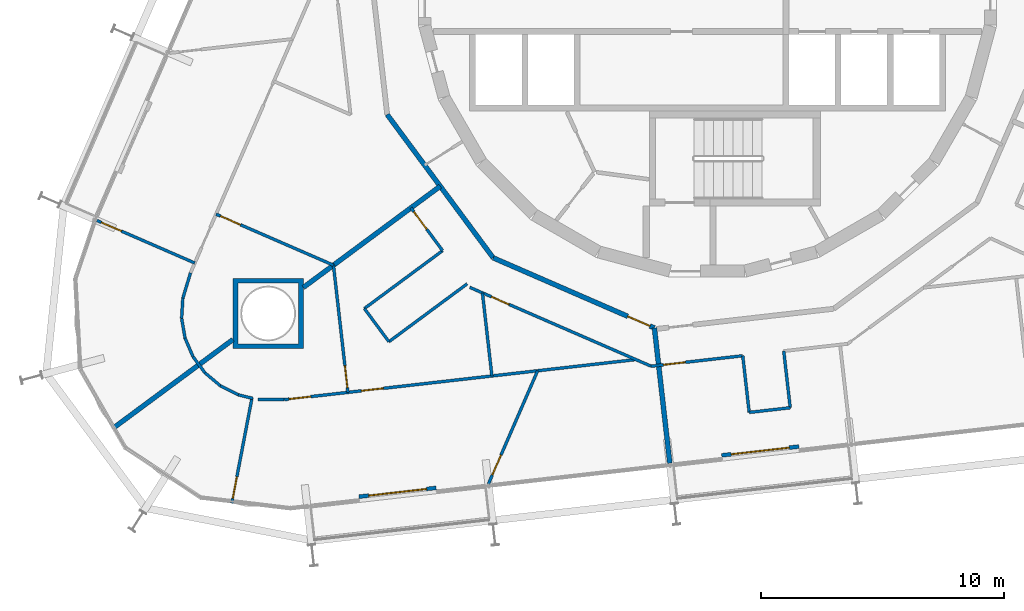
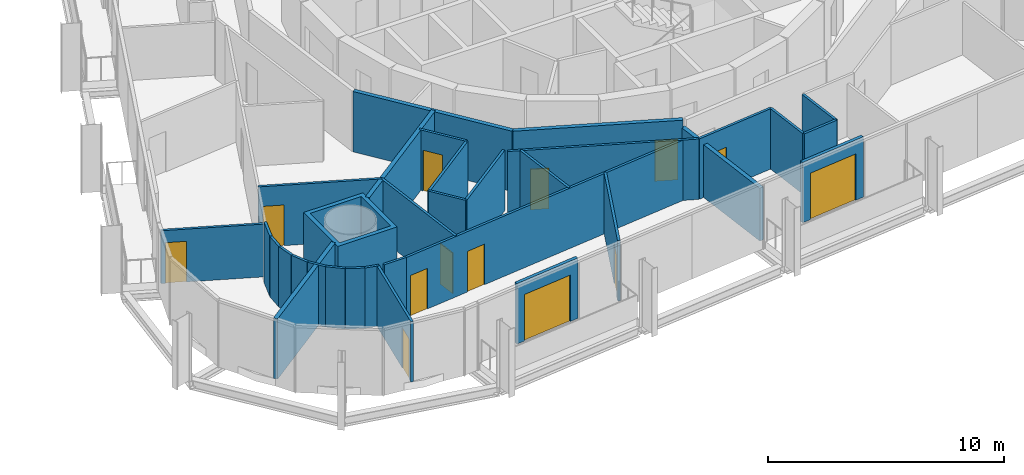
# One storey, part 16 of 24: 33 walls, 13 doors, 13 openings.
"""IFC4 building model written with IfcOpenShell, lengths in metres."""

import ifcopenshell
import ifcopenshell.guid

model = None  # the IFC model being written
_history = None  # IfcOwnerHistory: only IFC2X3 demands one
_inside = {}  # id of a spatial element -> (the spatial element, [elements in it])
_under = {}  # id of a project, library or spatial element -> (it, [spatial elements below it])
_declared = {}  # id of a project -> (the project, [libraries it declares])
_typed = {}  # id of a type object -> (the type object, [elements of that type])
_made_of = {}  # id of a material, layer set ... -> (it, [elements and type objects made of it])


def new_model(schema):
    """Start an empty IFC model of exactly this schema.

    Asked for "IFC4X3", IfcOpenShell would pick the latest addendum, in which some entities
    have other attributes; the version numbers below select the first issue.
    IFC2X3 requires an IfcOwnerHistory on every rooted entity: one is made here for all.
    """
    global model, _history
    if schema == "IFC4X3":
        model = ifcopenshell.file(schema_version=(4, 3, 0, 0))
    else:
        model = ifcopenshell.file(schema=schema)
    _inside.clear()
    _under.clear()
    _declared.clear()
    _typed.clear()
    _made_of.clear()
    _history = None
    if model.schema == "IFC2X3":
        org = make("IfcOrganization", Name="unknown")
        user = make(
            "IfcPersonAndOrganization",
            ThePerson=make("IfcPerson", FamilyName="unknown"),
            TheOrganization=org,
        )
        app = make(
            "IfcApplication",
            ApplicationDeveloper=org,
            Version="unknown",
            ApplicationFullName="unknown",
            ApplicationIdentifier="unknown",
        )
        _history = make(
            "IfcOwnerHistory",
            OwningUser=user,
            OwningApplication=app,
            ChangeAction="ADDED",
            CreationDate=0,
        )
    return model


def make(cls, **values):
    """One entity of the class cls with the attributes given. An attribute that is None is left unset."""
    return model.create_entity(
        cls, **{name: value for name, value in values.items() if value is not None}
    )


def rooted(cls, **values):
    """An entity with a GlobalId (a new one), such as an element, a storey or a relation."""
    return make(cls, GlobalId=ifcopenshell.guid.new(), OwnerHistory=_history, **values)


def si_unit(unit_type, name, prefix=None):
    """IfcSIUnit, for example si_unit("LENGTHUNIT", "METRE", prefix="MILLI")."""
    return make("IfcSIUnit", UnitType=unit_type, Prefix=prefix, Name=name)


def assignment(units):
    """IfcUnitAssignment: the units of a project."""
    return None if units is None else make("IfcUnitAssignment", Units=units)


def point(xyz):
    """IfcCartesianPoint."""
    return None if xyz is None else make("IfcCartesianPoint", Coordinates=xyz)


def direction(xyz):
    """IfcDirection."""
    return None if xyz is None else make("IfcDirection", DirectionRatios=xyz)


def frame(location, z_axis=None, x_axis=None):
    """IfcAxis2Placement3D, a coordinate frame: its origin and axes. An axis left out is left unset."""
    return make(
        "IfcAxis2Placement3D",
        Location=point(location),
        Axis=direction(z_axis),
        RefDirection=direction(x_axis),
    )


def frame_2d(location, x_axis=None):
    """IfcAxis2Placement2D, a coordinate frame in the plane: its origin and x axis."""
    return make(
        "IfcAxis2Placement2D", Location=point(location), RefDirection=direction(x_axis)
    )


def origin():
    """The frame at (0, 0, 0) with its axes left unset."""
    return frame((0.0, 0.0, 0.0))


def place(relative_to, where):
    """IfcLocalPlacement: puts the frame where relative to a parent placement (None: the world)."""
    return make(
        "IfcLocalPlacement", PlacementRelTo=relative_to, RelativePlacement=where
    )


def context(
    kind, dimensions, precision=None, world=None, true_north=None, identifier=None
):
    """IfcGeometricRepresentationContext, for example the 3D "Model" context."""
    return make(
        "IfcGeometricRepresentationContext",
        ContextIdentifier=identifier,
        ContextType=kind,
        CoordinateSpaceDimension=dimensions,
        Precision=precision,
        WorldCoordinateSystem=world,
        TrueNorth=true_north,
    )


def subcontext(parent, identifier, kind, view, scale=None):
    """IfcGeometricRepresentationSubContext, for example "Body" below "Model"."""
    return make(
        "IfcGeometricRepresentationSubContext",
        ContextIdentifier=identifier,
        ContextType=kind,
        ParentContext=parent,
        TargetScale=scale,
        TargetView=view,
    )


def project(units=None, contexts=None):
    """IfcProject with its units and contexts."""
    return rooted(
        "IfcProject",
        Name="project",
        RepresentationContexts=contexts,
        UnitsInContext=assignment(units),
    )


def spatial(cls, under=None, at=None, **own):
    """A site, building, storey or space (cls), placed at a placement, below another one or the project."""
    s = rooted(cls, ObjectPlacement=at, **own)
    if under is not None:
        _under.setdefault(under.id(), (under, []))[1].append(s)
    return s


def polyline(points):
    """IfcPolyline through the points."""
    return make("IfcPolyline", Points=[point(p) for p in points])


def profile(cls, at=None, kind="AREA", **sizes):
    """A parametric profile (cls). Its sizes go by their IFC names, for example OverallWidth=200.0."""
    return make(cls, ProfileType=kind, Position=at, **sizes)


def rectangle(**sizes):
    """IfcRectangleProfileDef."""
    return profile("IfcRectangleProfileDef", **sizes)


def outline(outer, holes=None, kind="AREA"):
    """IfcArbitraryClosedProfileDef: a profile drawn as a closed curve; with holes, ...WithVoids."""
    if holes is None:
        return make("IfcArbitraryClosedProfileDef", ProfileType=kind, OuterCurve=outer)
    return make(
        "IfcArbitraryProfileDefWithVoids",
        ProfileType=kind,
        OuterCurve=outer,
        InnerCurves=holes,
    )


def extrude(swept, where, along, depth):
    """IfcExtrudedAreaSolid: the profile swept, set in the frame where, extruded along a direction by depth."""
    return make(
        "IfcExtrudedAreaSolid",
        SweptArea=swept,
        Position=where,
        ExtrudedDirection=direction(along),
        Depth=depth,
    )


def shape(context_of_items, identifier, shape_type, items):
    """IfcShapeRepresentation: the items that make up one representation, for example the "Body"."""
    return make(
        "IfcShapeRepresentation",
        ContextOfItems=context_of_items,
        RepresentationIdentifier=identifier,
        RepresentationType=shape_type,
        Items=items,
    )


def material(Name=None, Category=None):
    """IfcMaterial."""
    return make("IfcMaterial", Name=Name, Category=Category)


def layer(
    of_material, thickness, ventilated=None, Name=None, Category=None, Priority=None
):
    """IfcMaterialLayer: one layer of a wall or slab, of a material (None: an air gap)."""
    return make(
        "IfcMaterialLayer",
        Material=of_material,
        LayerThickness=thickness,
        IsVentilated=ventilated,
        Name=Name,
        Category=Category,
        Priority=Priority,
    )


def layer_set(layers, Name=None):
    """IfcMaterialLayerSet."""
    return make("IfcMaterialLayerSet", MaterialLayers=layers, LayerSetName=Name)


def made_of(thing, what):
    """Note that an element or type object is made of a material, layer set ...; save() writes the relation."""
    if what is not None:
        _made_of.setdefault(what.id(), (what, []))[1].append(thing)
    return thing


def type_object(cls, material=None, **own):
    """A type object (cls), such as IfcWallType, which elements share."""
    return made_of(rooted(cls, **own), material)


def element(
    cls,
    number,
    at=None,
    inside=None,
    cuts=None,
    type_object=None,
    material=None,
    context=None,
    identifier="Body",
    shape_type=None,
    held_by="IfcProductDefinitionShape",
    body=None,
    shapes=None,
    **own,
):
    """One element of the class cls, such as IfcWall. Its Tag is "e" and its number.

    at: its placement. inside: the storey or other place that contains it. cuts: it is an
    opening in that element (IfcRelVoidsElement). A single representation is given by context,
    identifier, shape_type and body (its items); several are given by shapes. held_by: the class
    of the entity that holds the representations. save() writes the other relations.
    """
    e = rooted(cls, Tag="e%d" % number, ObjectPlacement=at, **own)
    if body is not None:
        shapes = [shape(context, identifier, shape_type, body)]
    if shapes is not None:
        e.Representation = make(held_by, Representations=shapes)
    if inside is not None:
        _inside.setdefault(inside.id(), (inside, []))[1].append(e)
    if cuts is not None:
        rooted(
            "IfcRelVoidsElement", RelatingBuildingElement=cuts, RelatedOpeningElement=e
        )
    if type_object is not None:
        _typed.setdefault(type_object.id(), (type_object, []))[1].append(e)
    return made_of(e, material)


def fill(opening, filler):
    """IfcRelFillsElement: the door or window that sits in an opening."""
    return rooted(
        "IfcRelFillsElement",
        RelatingOpeningElement=opening,
        RelatedBuildingElement=filler,
    )


def aggregate(whole, parts):
    """IfcRelAggregates: a whole, such as a stair, and the parts it consists of."""
    return rooted("IfcRelAggregates", RelatingObject=whole, RelatedObjects=parts)


def save(model, path):
    """Write the relations noted so far, then the file.

    IfcRelAggregates (storeys below a building ...), IfcRelContainedInSpatialStructure (elements
    in a storey), IfcRelDefinesByType, IfcRelAssociatesMaterial and IfcRelDeclares: one each for
    every whole, place, type object, material and project.
    """
    for whole, parts in _under.values():
        aggregate(whole, parts)
    for where, things in _inside.values():
        rooted(
            "IfcRelContainedInSpatialStructure",
            RelatedElements=things,
            RelatingStructure=where,
        )
    for kind, things in _typed.values():
        rooted("IfcRelDefinesByType", RelatedObjects=things, RelatingType=kind)
    for what, things in _made_of.values():
        rooted("IfcRelAssociatesMaterial", RelatedObjects=things, RelatingMaterial=what)
    for by, libraries in _declared.values():
        rooted("IfcRelDeclares", RelatingContext=by, RelatedDefinitions=libraries)
    model.write(path)


model = new_model("IFC4")

# Units and contexts
model_context = context("Model", 3, precision=1e-05, world=origin(), true_north=direction((0.0, 1.0)))
body_context = subcontext(model_context, "Body", "Model", "MODEL_VIEW")
ifc_project = project(units=[si_unit("LENGTHUNIT", "METRE"), si_unit("AREAUNIT", "SQUARE_METRE"), si_unit("VOLUMEUNIT", "CUBIC_METRE"), si_unit("PLANEANGLEUNIT", "RADIAN"), si_unit("MASSUNIT", "GRAM", prefix="KILO")], contexts=[model_context])

# Site, building, storey
site_placement = place(None, origin())
site = spatial("IfcSite", under=ifc_project, at=site_placement, CompositionType="ELEMENT")
building_placement = place(site_placement, origin())
building = spatial("IfcBuilding", under=site, at=building_placement, Name="Spindle Arch Residences", CompositionType="ELEMENT")
storey_placement = place(building_placement, frame((0.0, 0.0, 87.199951171875)))
storey = spatial("IfcBuildingStorey", under=building, at=storey_placement, Name="L20", CompositionType="ELEMENT", Elevation=87.199951171875)

# Wall
ifc_material_1 = material(Name="Calcium silicate block, plastered")
ifc_layer_1 = layer(ifc_material_1, 0.199951171875)
ifc_layer_set_1 = layer_set([ifc_layer_1], Name="Corridor wall 200")
wall_type_1 = type_object("IfcWallType", Name="Corridor wall 200", PredefinedType="STANDARD", material=ifc_layer_set_1)
wall_1_placement = place(storey_placement, frame((-13.1962890625, -5.1982421875, 0.0), z_axis=(0.0, 0.0, 1.0), x_axis=(0.594805187394, -0.803869883159, 0.0)))
element("IfcWall", 1, at=wall_1_placement, inside=storey, type_object=wall_type_1, Name="Corridor wall R2B1-W012", PredefinedType="STANDARD", context=body_context, shape_type="SweptSolid", body=[
    extrude(rectangle(XDim=7.341796875, YDim=0.199951171875, at=frame_2d((3.6708984375, 0.0))), origin(), (0.0, 0.0, 1.0), 3.1201171875),
])

# Wall, opening, door
wall_2_placement = place(storey_placement, frame((-8.829345703125, -11.10009765625, 0.0), z_axis=(0.0, 0.0, 1.0), x_axis=(0.917063622491, -0.398740908742, 0.0)))
wall_2 = element("IfcWall", 2, at=wall_2_placement, inside=storey, type_object=wall_type_1, Name="Corridor wall R2B1-W013", PredefinedType="STANDARD", context=body_context, shape_type="SweptSolid", body=[
    extrude(rectangle(XDim=7.239501953125, YDim=0.199951171875, at=frame_2d((3.61962890625, 0.0))), origin(), (0.0, 0.0, 1.0), 3.1201171875),
])
opening_1_placement = place(wall_2_placement, frame((6.03955078125, 0.0, 0.0)))
opening_1 = element("IfcOpeningElement", 3, at=opening_1_placement, cuts=wall_2, Name="Opening R2B1-FD04", PredefinedType="OPENING", context=body_context, shape_type="SweptSolid", body=[
    extrude(rectangle(XDim=1.0, YDim=2.10009765625, at=frame_2d((0.5, 1.050048828125))), frame((0.0, 0.10986328125, 0.0), z_axis=(0.0, -1.0, 0.0), x_axis=(1.0, 0.0, 0.0)), (0.0, 0.0, 1.0), 0.219970703125),
])
ifc_material_2 = material(Name="Timber, fire-resisting door set", Category="wood")
door_type_1 = type_object("IfcDoorType", Name="Flat entrance door 1000x2100", OperationType="NOTDEFINED", PredefinedType="DOOR", material=ifc_material_2)
door_1_placement = place(opening_1_placement, origin())
door_1 = element("IfcDoor", 4, at=door_1_placement, inside=storey, type_object=door_type_1, Name="Flat entrance door R2B1-FD04", OperationType="SINGLE_SWING_LEFT", OverallHeight=2.10009765625, OverallWidth=1.0, PredefinedType="DOOR", context=body_context, shape_type="SweptSolid", body=[
    extrude(rectangle(XDim=1.0, YDim=2.10009765625, at=frame_2d((0.5, 1.050048828125))), frame((0.0, 0.02490234375, 0.0), z_axis=(0.0, -1.0, 0.0), x_axis=(1.0, 0.0, 0.0)), (0.0, 0.0, 1.0), 0.050048828125),
])
fill(opening_1, door_1)

ifc_material_3 = material(Name="Plasterboard on steel studs", Category="steel")
ifc_layer_2 = layer(ifc_material_3, 0.1201171875)
ifc_layer_set_2 = layer_set([ifc_layer_2], Name="Flat partition 120")
wall_type_2 = type_object("IfcWallType", Name="Flat partition 120", PredefinedType="PARTITIONING", material=ifc_layer_set_2)
wall_3_placement = place(storey_placement, frame((-20.2451171875, -9.30029296875, 0.0), z_axis=(0.0, 0.0, 1.0), x_axis=(0.91706784774, -0.398731190956, 0.0)))
wall_3 = element("IfcWall", 5, at=wall_3_placement, inside=storey, type_object=wall_type_2, Name="Flat partition R2B1-W068", PredefinedType="PARTITIONING", context=body_context, shape_type="SweptSolid", body=[
    extrude(rectangle(XDim=5.2724609375, YDim=0.1201171875, at=frame_2d((2.63623046875, 0.0))), origin(), (0.0, 0.0, 1.0), 3.1201171875),
])
opening_2_placement = place(wall_3_placement, frame((0.199951171875, 0.0, 0.0)))
opening_2 = element("IfcOpeningElement", 6, at=opening_2_placement, cuts=wall_3, Name="Opening R2B1-ID15", PredefinedType="OPENING", context=body_context, shape_type="SweptSolid", body=[
    extrude(rectangle(XDim=0.89990234375, YDim=2.10009765625, at=frame_2d((0.449951171875, 1.050048828125))), frame((0.0, 0.070068359375, 0.0), z_axis=(0.0, -1.0, 0.0), x_axis=(1.0, 0.0, 0.0)), (0.0, 0.0, 1.0), 0.14013671875),
])
ifc_material_4 = material(Name="Timber door set", Category="wood")
door_type_2 = type_object("IfcDoorType", Name="Room door 900x2100", OperationType="NOTDEFINED", PredefinedType="DOOR", material=ifc_material_4)
door_2_placement = place(opening_2_placement, origin())
door_2 = element("IfcDoor", 7, at=door_2_placement, inside=storey, type_object=door_type_2, Name="Room door R2B1-ID15", OperationType="SINGLE_SWING_RIGHT", OverallHeight=2.10009765625, OverallWidth=0.89990234375, PredefinedType="DOOR", context=body_context, shape_type="SweptSolid", body=[
    extrude(rectangle(XDim=0.89990234375, YDim=2.10009765625, at=frame_2d((0.449951171875, 1.050048828125))), frame((0.0, 0.02490234375, 0.0), z_axis=(0.0, -1.0, 0.0), x_axis=(1.0, 0.0, 0.0)), (0.0, 0.0, 1.0), 0.050048828125),
])
fill(opening_2, door_2)

# Walls
for number, where, z_axis, x_axis, name in (
    (8, (-20.702880859375, -15.834716796875, 0.0), (0.0, 0.0, 1.0), (-0.594755442796, 0.803906688158, 0.0), "Flat partition R2B1-W073"),
    (9, (-21.19580078125, -15.16845703125, 0.0), (0.0, 0.0, 1.0), (-0.393528213057, 0.919312539634, 0.0), "Flat partition R2B1-W074"),
):
    element("IfcWall", number, at=place(storey_placement, frame(where, z_axis=z_axis, x_axis=x_axis)), inside=storey, type_object=wall_type_2, Name=name, PredefinedType="PARTITIONING", context=body_context, shape_type="SweptSolid", body=[
        extrude(rectangle(XDim=0.828857421875, YDim=0.1201171875, at=frame_2d((0.41455078125, 0.0))), origin(), (0.0, 0.0, 1.0), 3.1201171875),
    ])
wall_4_placement = place(storey_placement, frame((-21.52197265625, -14.406494140625, 0.0), z_axis=(0.0, 0.0, 1.0), x_axis=(-0.170794347099, 0.985306698952, 0.0)))
element("IfcWall", 10, at=wall_4_placement, inside=storey, type_object=wall_type_2, Name="Flat partition R2B1-W075", PredefinedType="PARTITIONING", context=body_context, shape_type="SweptSolid", body=[
    extrude(rectangle(XDim=0.8291015625, YDim=0.1201171875, at=frame_2d((0.41455078125, 0.0))), origin(), (0.0, 0.0, 1.0), 3.1201171875),
])
wall_5_placement = place(storey_placement, frame((-21.66357421875, -13.589599609375, 0.0), z_axis=(0.0, 0.0, 1.0), x_axis=(0.061277779288, 0.998120751095, 0.0)))
element("IfcWall", 11, at=wall_5_placement, inside=storey, type_object=wall_type_2, Name="Flat partition R2B1-W076", PredefinedType="PARTITIONING", context=body_context, shape_type="SweptSolid", body=[
    extrude(rectangle(XDim=0.82861328125, YDim=0.1201171875, at=frame_2d((0.414306640625, 0.0))), origin(), (0.0, 0.0, 1.0), 3.1201171875),
])
wall_6_placement = place(storey_placement, frame((-21.61279296875, -12.762451171875, 0.0), z_axis=(0.0, 0.0, 1.0), x_axis=(0.289552239308, 0.95716221233, 0.0)))
element("IfcWall", 12, at=wall_6_placement, inside=storey, type_object=wall_type_2, Name="Flat partition R2B1-W077", PredefinedType="PARTITIONING", context=body_context, shape_type="SweptSolid", body=[
    extrude(rectangle(XDim=1.0869140625, YDim=0.1201171875, at=frame_2d((0.54345703125, 0.0))), origin(), (0.0, 0.0, 1.0), 3.1201171875),
])

# Wall, opening, door
wall_7_placement = place(storey_placement, frame((-12.218505859375, -9.041259765625, 0.0), z_axis=(0.0, 0.0, 1.0), x_axis=(0.59482286703, -0.803856801214, 0.0)))
wall_7 = element("IfcWall", 13, at=wall_7_placement, inside=storey, type_object=wall_type_2, Name="Flat partition R2B1-W078", PredefinedType="PARTITIONING", context=body_context, shape_type="SweptSolid", body=[
    extrude(rectangle(XDim=2.193359375, YDim=0.1201171875, at=frame_2d((1.0966796875, 0.0))), origin(), (0.0, 0.0, 1.0), 3.1201171875),
])
opening_3_placement = place(wall_7_placement, frame((0.199951171875, 0.0, 0.0)))
opening_3 = element("IfcOpeningElement", 14, at=opening_3_placement, cuts=wall_7, Name="Opening R2B1-ID19", PredefinedType="OPENING", context=body_context, shape_type="SweptSolid", body=[
    extrude(rectangle(XDim=0.89990234375, YDim=2.10009765625, at=frame_2d((0.449951171875, 1.050048828125))), frame((0.0, 0.070068359375, 0.0), z_axis=(0.0, -1.0, 0.0), x_axis=(1.0, 0.0, 0.0)), (0.0, 0.0, 1.0), 0.14013671875),
])
door_3_placement = place(opening_3_placement, origin())
door_3 = element("IfcDoor", 15, at=door_3_placement, inside=storey, type_object=door_type_2, Name="Room door R2B1-ID19", OperationType="SINGLE_SWING_LEFT", OverallHeight=2.10009765625, OverallWidth=0.89990234375, PredefinedType="DOOR", context=body_context, shape_type="SweptSolid", body=[
    extrude(rectangle(XDim=0.89990234375, YDim=2.10009765625, at=frame_2d((0.449951171875, 1.050048828125))), frame((0.0, 0.02490234375, 0.0), z_axis=(0.0, -1.0, 0.0), x_axis=(1.0, 0.0, 0.0)), (0.0, 0.0, 1.0), 0.050048828125),
])
fill(opening_3, door_3)

# Walls
wall_8_placement = place(storey_placement, frame((-10.913818359375, -10.804443359375, 0.0), z_axis=(0.0, 0.0, 1.0), x_axis=(-0.803864616889, -0.594812304609, 0.0)))
element("IfcWall", 16, at=wall_8_placement, inside=storey, type_object=wall_type_2, Name="Flat partition R2B1-W079", PredefinedType="PARTITIONING", context=body_context, shape_type="SweptSolid", body=[
    extrude(rectangle(XDim=4.008056640625, YDim=0.1201171875, at=frame_2d((2.00390625, 0.0))), origin(), (0.0, 0.0, 1.0), 3.1201171875),
])
wall_9_placement = place(storey_placement, frame((-14.1357421875, -13.1884765625, 0.0), z_axis=(0.0, 0.0, 1.0), x_axis=(0.594863421241, -0.803826791087, 0.0)))
element("IfcWall", 17, at=wall_9_placement, inside=storey, type_object=wall_type_2, Name="Flat partition R2B1-W080", PredefinedType="PARTITIONING", context=body_context, shape_type="SweptSolid", body=[
    extrude(rectangle(XDim=1.699951171875, YDim=0.1201171875, at=frame_2d((0.85009765625, 0.0))), origin(), (0.0, 0.0, 1.0), 3.1201171875),
])
wall_10_placement = place(storey_placement, frame((-13.12451171875, -14.554931640625, 0.0), z_axis=(0.0, 0.0, 1.0), x_axis=(0.80389374229, 0.594772940799, 0.0)))
element("IfcWall", 18, at=wall_10_placement, inside=storey, type_object=wall_type_2, Name="Flat partition R2B1-W081", PredefinedType="PARTITIONING", context=body_context, shape_type="SweptSolid", body=[
    extrude(rectangle(XDim=4.0078125, YDim=0.1201171875, at=frame_2d((2.00390625, 0.0))), origin(), (0.0, 0.0, 1.0), 3.1201171875),
])

# Wall, opening, door
wall_11_placement = place(storey_placement, frame((-9.7958984375, -12.315185546875, 0.0), z_axis=(0.0, 0.0, 1.0), x_axis=(0.917059572812, -0.398750222463, 0.0)))
wall_11 = element("IfcWall", 19, at=wall_11_placement, inside=storey, type_object=wall_type_2, Name="Flat partition R2B1-W082", PredefinedType="PARTITIONING", context=body_context, shape_type="SweptSolid", body=[
    extrude(rectangle(XDim=8.1455078125, YDim=0.1201171875, at=frame_2d((4.07275390625, 0.0))), origin(), (0.0, 0.0, 1.0), 3.1201171875),
])
opening_4_placement = place(wall_11_placement, frame((0.969482421875, 0.0, 0.0)))
opening_4 = element("IfcOpeningElement", 20, at=opening_4_placement, cuts=wall_11, Name="Opening R2B1-BD04", PredefinedType="OPENING", context=body_context, shape_type="SweptSolid", body=[
    extrude(rectangle(XDim=0.800048828125, YDim=2.10009765625, at=frame_2d((0.39990234375, 1.050048828125))), frame((0.0, 0.070068359375, 0.0), z_axis=(0.0, -1.0, 0.0), x_axis=(1.0, 0.0, 0.0)), (0.0, 0.0, 1.0), 0.14013671875),
])
ifc_material_5 = material(Name="Timber door set", Category="wood")
door_type_3 = type_object("IfcDoorType", Name="Bathroom door 800x2100", OperationType="NOTDEFINED", PredefinedType="DOOR", material=ifc_material_5)
door_4_placement = place(opening_4_placement, origin())
door_4 = element("IfcDoor", 21, at=door_4_placement, inside=storey, type_object=door_type_3, Name="Bathroom door R2B1-BD04", OperationType="SINGLE_SWING_LEFT", OverallHeight=2.10009765625, OverallWidth=0.800048828125, PredefinedType="DOOR", context=body_context, shape_type="SweptSolid", body=[
    extrude(rectangle(XDim=0.800048828125, YDim=2.10009765625, at=frame_2d((0.39990234375, 1.050048828125))), frame((0.0, 0.02490234375, 0.0), z_axis=(0.0, -1.0, 0.0), x_axis=(1.0, 0.0, 0.0)), (0.0, 0.0, 1.0), 0.050048828125),
])
fill(opening_4, door_4)

wall_12_placement = place(storey_placement, frame((-2.325927734375, -15.563232421875, 0.0), z_axis=(0.0, 0.0, 1.0), x_axis=(0.993575068384, 0.113175012641, 0.0)))
wall_12 = element("IfcWall", 22, at=wall_12_placement, inside=storey, type_object=wall_type_2, Name="Flat partition R2B1-W083", PredefinedType="PARTITIONING", context=body_context, shape_type="SweptSolid", body=[
    extrude(rectangle(XDim=3.798828125, YDim=0.1201171875, at=frame_2d((1.8994140625, 0.0))), origin(), (0.0, 0.0, 1.0), 3.1201171875),
])
opening_5_placement = place(wall_12_placement, frame((0.513427734375, 0.0, 0.0)))
opening_5 = element("IfcOpeningElement", 23, at=opening_5_placement, cuts=wall_12, Name="Opening R2B1-ID25", PredefinedType="OPENING", context=body_context, shape_type="SweptSolid", body=[
    extrude(rectangle(XDim=0.89990234375, YDim=2.10009765625, at=frame_2d((0.449951171875, 1.050048828125))), frame((0.0, 0.070068359375, 0.0), z_axis=(0.0, -1.0, 0.0), x_axis=(1.0, 0.0, 0.0)), (0.0, 0.0, 1.0), 0.14013671875),
])
door_5_placement = place(opening_5_placement, origin())
door_5 = element("IfcDoor", 24, at=door_5_placement, inside=storey, type_object=door_type_2, Name="Room door R2B1-ID25", OperationType="SINGLE_SWING_LEFT", OverallHeight=2.10009765625, OverallWidth=0.89990234375, PredefinedType="DOOR", context=body_context, shape_type="SweptSolid", body=[
    extrude(rectangle(XDim=0.89990234375, YDim=2.10009765625, at=frame_2d((0.449951171875, 1.050048828125))), frame((0.0, 0.02490234375, 0.0), z_axis=(0.0, -1.0, 0.0), x_axis=(1.0, 0.0, 0.0)), (0.0, 0.0, 1.0), 0.050048828125),
])
fill(opening_5, door_5)

# Walls
wall_13_placement = place(storey_placement, frame((-18.727783203125, -16.88818359375, 0.0), z_axis=(0.0, 0.0, 1.0), x_axis=(-0.972351484507, 0.233522141512, 0.0)))
element("IfcWall", 25, at=wall_13_placement, inside=storey, type_object=wall_type_2, Name="Flat partition R2B1-W084", PredefinedType="PARTITIONING", context=body_context, shape_type="SweptSolid", body=[
    extrude(rectangle(XDim=0.618896484375, YDim=0.1201171875, at=frame_2d((0.3095703125, 0.0))), origin(), (0.0, 0.0, 1.0), 3.1201171875),
])
for number, where, z_axis, x_axis, name in (
    (26, (-19.32958984375, -16.74365234375, 0.0), (0.0, 0.0, 1.0), (-0.89229682893, 0.451449187706, 0.0), "Flat partition R2B1-W085"),
    (27, (-20.0693359375, -16.369384765625, 0.0), (0.0, 0.0, 1.0), (-0.764223440539, 0.644951574097, 0.0), "Flat partition R2B1-W086"),
):
    element("IfcWall", number, at=place(storey_placement, frame(where, z_axis=z_axis, x_axis=x_axis)), inside=storey, type_object=wall_type_2, Name=name, PredefinedType="PARTITIONING", context=body_context, shape_type="SweptSolid", body=[
        extrude(rectangle(XDim=0.8291015625, YDim=0.1201171875, at=frame_2d((0.41455078125, 0.0))), origin(), (0.0, 0.0, 1.0), 3.1201171875),
    ])

# Wall, opening, door
wall_14_placement = place(storey_placement, frame((-19.595703125, -21.204833984375, 0.0), z_axis=(0.0, 0.0, 1.0), x_axis=(0.188168961647, 0.982136671687, 0.0)))
wall_14 = element("IfcWall", 28, at=wall_14_placement, inside=storey, type_object=wall_type_2, Name="Flat partition R2B1-W087", PredefinedType="PARTITIONING", context=body_context, shape_type="SweptSolid", body=[
    extrude(rectangle(XDim=4.40478515625, YDim=0.1201171875, at=frame_2d((2.202392578125, 0.0))), origin(), (0.0, 0.0, 1.0), 3.1201171875),
])
opening_6_placement = place(wall_14_placement, frame((0.199951171875, 0.0, 0.0)))
opening_6 = element("IfcOpeningElement", 29, at=opening_6_placement, cuts=wall_14, Name="Opening R2B1-ID22", PredefinedType="OPENING", context=body_context, shape_type="SweptSolid", body=[
    extrude(rectangle(XDim=0.89990234375, YDim=2.10009765625, at=frame_2d((0.449951171875, 1.050048828125))), frame((0.0, 0.070068359375, 0.0), z_axis=(0.0, -1.0, 0.0), x_axis=(1.0, 0.0, 0.0)), (0.0, 0.0, 1.0), 0.14013671875),
])
door_6_placement = place(opening_6_placement, origin())
door_6 = element("IfcDoor", 30, at=door_6_placement, inside=storey, type_object=door_type_2, Name="Room door R2B1-ID22", OperationType="SINGLE_SWING_LEFT", OverallHeight=2.10009765625, OverallWidth=0.89990234375, PredefinedType="DOOR", context=body_context, shape_type="SweptSolid", body=[
    extrude(rectangle(XDim=0.89990234375, YDim=2.10009765625, at=frame_2d((0.449951171875, 1.050048828125))), frame((0.0, 0.02490234375, 0.0), z_axis=(0.0, -1.0, 0.0), x_axis=(1.0, 0.0, 0.0)), (0.0, 0.0, 1.0), 0.050048828125),
])
fill(opening_6, door_6)

wall_15_placement = place(storey_placement, frame((-14.81298828125, -16.641357421875, 0.0), z_axis=(0.0, 0.0, 1.0), x_axis=(-0.113210971478, 0.993570971767, 0.0)))
wall_15 = element("IfcWall", 31, at=wall_15_placement, inside=storey, type_object=wall_type_2, Name="Flat partition R2B1-W088", PredefinedType="PARTITIONING", context=body_context, shape_type="SweptSolid", body=[
    extrude(rectangle(XDim=5.272705078125, YDim=0.1201171875, at=frame_2d((2.63623046875, 0.0))), origin(), (0.0, 0.0, 1.0), 3.1201171875),
])
opening_7_placement = place(wall_15_placement, frame((0.199951171875, 0.0, 0.0)))
opening_7 = element("IfcOpeningElement", 32, at=opening_7_placement, cuts=wall_15, Name="Opening R2B1-ID20", PredefinedType="OPENING", context=body_context, shape_type="SweptSolid", body=[
    extrude(rectangle(XDim=0.89990234375, YDim=2.10009765625, at=frame_2d((0.449951171875, 1.050048828125))), frame((0.0, 0.070068359375, 0.0), z_axis=(0.0, -1.0, 0.0), x_axis=(1.0, 0.0, 0.0)), (0.0, 0.0, 1.0), 0.14013671875),
])
door_7_placement = place(opening_7_placement, origin())
door_7 = element("IfcDoor", 33, at=door_7_placement, inside=storey, type_object=door_type_2, Name="Room door R2B1-ID20", OperationType="SINGLE_SWING_LEFT", OverallHeight=2.10009765625, OverallWidth=0.89990234375, PredefinedType="DOOR", context=body_context, shape_type="SweptSolid", body=[
    extrude(rectangle(XDim=0.89990234375, YDim=2.10009765625, at=frame_2d((0.449951171875, 1.050048828125))), frame((0.0, 0.02490234375, 0.0), z_axis=(0.0, -1.0, 0.0), x_axis=(1.0, 0.0, 0.0)), (0.0, 0.0, 1.0), 0.050048828125),
])
fill(opening_7, door_7)

# Wall
wall_16_placement = place(storey_placement, frame((-18.523681640625, -16.93701171875, 0.0), z_axis=(0.0, 0.0, 1.0), x_axis=(0.999995736722, -0.00292002349, 0.0)))
element("IfcWall", 34, at=wall_16_placement, inside=storey, type_object=wall_type_2, Name="Flat partition R2B1-W089", PredefinedType="PARTITIONING", context=body_context, shape_type="SweptSolid", body=[
    extrude(rectangle(XDim=1.0869140625, YDim=0.1201171875, at=frame_2d((0.54345703125, 0.0))), origin(), (0.0, 0.0, 1.0), 3.1201171875),
])

# Wall, openings, doors
wall_17_placement = place(storey_placement, frame((-17.436767578125, -16.940185546875, 0.0), z_axis=(0.0, 0.0, 1.0), x_axis=(0.993573314119, 0.113190412448, 0.0)))
wall_17 = element("IfcWall", 35, at=wall_17_placement, inside=storey, type_object=wall_type_2, Name="Flat partition R2B1-W090", PredefinedType="PARTITIONING", context=body_context, shape_type="SweptSolid", body=[
    extrude(rectangle(XDim=14.576416015625, YDim=0.1201171875, at=frame_2d((7.2880859375, 0.0))), origin(), (0.0, 0.0, 1.0), 3.1201171875),
])
opening_8_placement = place(wall_17_placement, frame((3.20068359375, 0.0, 0.0)))
opening_8 = element("IfcOpeningElement", 36, at=opening_8_placement, cuts=wall_17, Name="Opening R2B1-ID21", PredefinedType="OPENING", context=body_context, shape_type="SweptSolid", body=[
    extrude(rectangle(XDim=0.89990234375, YDim=2.10009765625, at=frame_2d((0.449951171875, 1.050048828125))), frame((0.0, 0.070068359375, 0.0), z_axis=(0.0, -1.0, 0.0), x_axis=(1.0, 0.0, 0.0)), (0.0, 0.0, 1.0), 0.14013671875),
])
opening_9_placement = place(wall_17_placement, frame((0.199951171875, 0.0, 0.0)))
opening_9 = element("IfcOpeningElement", 37, at=opening_9_placement, cuts=wall_17, Name="Opening R2B1-ID24", PredefinedType="OPENING", context=body_context, shape_type="SweptSolid", body=[
    extrude(rectangle(XDim=0.89990234375, YDim=2.10009765625, at=frame_2d((0.449951171875, 1.050048828125))), frame((0.0, 0.070068359375, 0.0), z_axis=(0.0, -1.0, 0.0), x_axis=(1.0, 0.0, 0.0)), (0.0, 0.0, 1.0), 0.14013671875),
])
door_8_placement = place(opening_8_placement, origin())
door_8 = element("IfcDoor", 38, at=door_8_placement, inside=storey, type_object=door_type_2, Name="Room door R2B1-ID21", OperationType="SINGLE_SWING_LEFT", OverallHeight=2.10009765625, OverallWidth=0.89990234375, PredefinedType="DOOR", context=body_context, shape_type="SweptSolid", body=[
    extrude(rectangle(XDim=0.89990234375, YDim=2.10009765625, at=frame_2d((0.449951171875, 1.050048828125))), frame((0.0, 0.02490234375, 0.0), z_axis=(0.0, -1.0, 0.0), x_axis=(1.0, 0.0, 0.0)), (0.0, 0.0, 1.0), 0.050048828125),
])
fill(opening_8, door_8)
door_9_placement = place(opening_9_placement, origin())
door_9 = element("IfcDoor", 39, at=door_9_placement, inside=storey, type_object=door_type_2, Name="Room door R2B1-ID24", OperationType="SINGLE_SWING_LEFT", OverallHeight=2.10009765625, OverallWidth=0.89990234375, PredefinedType="DOOR", context=body_context, shape_type="SweptSolid", body=[
    extrude(rectangle(XDim=0.89990234375, YDim=2.10009765625, at=frame_2d((0.449951171875, 1.050048828125))), frame((0.0, 0.02490234375, 0.0), z_axis=(0.0, -1.0, 0.0), x_axis=(1.0, 0.0, 0.0)), (0.0, 0.0, 1.0), 0.050048828125),
])
fill(opening_9, door_9)

# Wall
wall_18_placement = place(storey_placement, frame((-8.883544921875, -15.9658203125, 0.0), z_axis=(0.0, 0.0, 1.0), x_axis=(-0.113230836929, 0.993568708026, 0.0)))
element("IfcWall", 40, at=wall_18_placement, inside=storey, type_object=wall_type_2, Name="Flat partition R2B1-W091", PredefinedType="PARTITIONING", context=body_context, shape_type="SweptSolid", body=[
    extrude(rectangle(XDim=3.445556640625, YDim=0.1201171875, at=frame_2d((1.72265625, 0.0))), origin(), (0.0, 0.0, 1.0), 3.1201171875),
])

# Wall, opening, door
wall_19_placement = place(storey_placement, frame((-9.025634765625, -20.410400390625, 0.0), z_axis=(0.0, 0.0, 1.0), x_axis=(0.398750711167, 0.917059360316, 0.0)))
wall_19 = element("IfcWall", 41, at=wall_19_placement, inside=storey, type_object=wall_type_2, Name="Flat partition R2B1-W092", PredefinedType="PARTITIONING", context=body_context, shape_type="SweptSolid", body=[
    extrude(rectangle(XDim=5.08056640625, YDim=0.1201171875, at=frame_2d((2.540283203125, 0.0))), origin(), (0.0, 0.0, 1.0), 3.1201171875),
])
opening_10_placement = place(wall_19_placement, frame((0.39990234375, 0.0, 0.0)))
opening_10 = element("IfcOpeningElement", 42, at=opening_10_placement, cuts=wall_19, Name="Opening R2B1-ID23", PredefinedType="OPENING", context=body_context, shape_type="SweptSolid", body=[
    extrude(rectangle(XDim=0.89990234375, YDim=2.10009765625, at=frame_2d((0.449951171875, 1.050048828125))), frame((0.0, 0.070068359375, 0.0), z_axis=(0.0, -1.0, 0.0), x_axis=(1.0, 0.0, 0.0)), (0.0, 0.0, 1.0), 0.14013671875),
])
door_10_placement = place(opening_10_placement, origin())
door_10 = element("IfcDoor", 43, at=door_10_placement, inside=storey, type_object=door_type_2, Name="Room door R2B1-ID23", OperationType="SINGLE_SWING_RIGHT", OverallHeight=2.10009765625, OverallWidth=0.89990234375, PredefinedType="DOOR", context=body_context, shape_type="SweptSolid", body=[
    extrude(rectangle(XDim=0.89990234375, YDim=2.10009765625, at=frame_2d((0.449951171875, 1.050048828125))), frame((0.0, 0.02490234375, 0.0), z_axis=(0.0, -1.0, 0.0), x_axis=(1.0, 0.0, 0.0)), (0.0, 0.0, 1.0), 0.050048828125),
])
fill(opening_10, door_10)

# Walls
wall_20_placement = place(storey_placement, frame((1.448486328125, -15.13330078125, 0.0), z_axis=(0.0, 0.0, 1.0), x_axis=(0.113180189053, -0.993574478741, 0.0)))
element("IfcWall", 44, at=wall_20_placement, inside=storey, type_object=wall_type_2, Name="Flat partition R2B1-W093", PredefinedType="PARTITIONING", context=body_context, shape_type="SweptSolid", body=[
    extrude(rectangle(XDim=2.34912109375, YDim=0.1201171875, at=frame_2d((1.174560546875, 0.0))), origin(), (0.0, 0.0, 1.0), 3.1201171875),
])
wall_21_placement = place(storey_placement, frame((1.71435546875, -17.46728515625, 0.0), z_axis=(0.0, 0.0, 1.0), x_axis=(0.993577030812, 0.113157782957, 0.0)))
element("IfcWall", 45, at=wall_21_placement, inside=storey, type_object=wall_type_2, Name="Flat partition R2B1-W094", PredefinedType="PARTITIONING", context=body_context, shape_type="SweptSolid", body=[
    extrude(rectangle(XDim=1.7001953125, YDim=0.1201171875, at=frame_2d((0.85009765625, 0.0))), origin(), (0.0, 0.0, 1.0), 3.1201171875),
])
wall_22_placement = place(storey_placement, frame((3.403564453125, -17.27490234375, 0.0), z_axis=(0.0, 0.0, 1.0), x_axis=(-0.113180189053, 0.993574478741, 0.0)))
element("IfcWall", 46, at=wall_22_placement, inside=storey, type_object=wall_type_2, Name="Flat partition R2B1-W095", PredefinedType="PARTITIONING", context=body_context, shape_type="SweptSolid", body=[
    extrude(rectangle(XDim=2.34912109375, YDim=0.1201171875, at=frame_2d((1.174560546875, 0.0))), origin(), (0.0, 0.0, 1.0), 3.1201171875),
])

# Wall, opening, door
ifc_material_6 = material(Name="Plasterboard on steel studs", Category="steel")
ifc_layer_3 = layer(ifc_material_6, 0.1201171875)
ifc_layer_set_3 = layer_set([ifc_layer_3], Name="Flat partition 120 under beam 2730")
wall_type_3 = type_object("IfcWallType", Name="Flat partition 120 under beam 2730", PredefinedType="PARTITIONING", material=ifc_layer_set_3)
wall_23_placement = place(storey_placement, frame((-25.155517578125, -9.55908203125, 0.0), z_axis=(0.0, 0.0, 1.0), x_axis=(0.917042707292, -0.398789008127, 0.0)))
wall_23 = element("IfcWall", 47, at=wall_23_placement, inside=storey, type_object=wall_type_3, Name="Flat partition R2B1-W072", PredefinedType="PARTITIONING", context=body_context, shape_type="SweptSolid", body=[
    extrude(rectangle(XDim=4.39990234375, YDim=0.1201171875, at=frame_2d((2.199951171875, 0.0))), origin(), (0.0, 0.0, 1.0), 2.72998046875),
])
opening_11_placement = place(wall_23_placement, frame((0.199951171875, 0.0, 0.0)))
opening_11 = element("IfcOpeningElement", 48, at=opening_11_placement, cuts=wall_23, Name="Opening R2B1-ID17", PredefinedType="OPENING", context=body_context, shape_type="SweptSolid", body=[
    extrude(rectangle(XDim=0.89990234375, YDim=2.10009765625, at=frame_2d((0.449951171875, 1.050048828125))), frame((0.0, 0.070068359375, 0.0), z_axis=(0.0, -1.0, 0.0), x_axis=(1.0, 0.0, 0.0)), (0.0, 0.0, 1.0), 0.14013671875),
])
door_11_placement = place(opening_11_placement, origin())
door_11 = element("IfcDoor", 49, at=door_11_placement, inside=storey, type_object=door_type_2, Name="Room door R2B1-ID17", OperationType="SINGLE_SWING_RIGHT", OverallHeight=2.10009765625, OverallWidth=0.89990234375, PredefinedType="DOOR", context=body_context, shape_type="SweptSolid", body=[
    extrude(rectangle(XDim=0.89990234375, YDim=2.10009765625, at=frame_2d((0.449951171875, 1.050048828125))), frame((0.0, 0.02490234375, 0.0), z_axis=(0.0, -1.0, 0.0), x_axis=(1.0, 0.0, 0.0)), (0.0, 0.0, 1.0), 0.050048828125),
])
fill(opening_11, door_11)

# Walls
ifc_material_7 = material(Name="Calcium silicate block, plastered")
ifc_layer_4 = layer(ifc_material_7, 0.199951171875)
ifc_layer_set_4 = layer_set([ifc_layer_4], Name="Flat party wall 200")
wall_type_4 = type_object("IfcWallType", Name="Flat party wall 200", PredefinedType="STANDARD", material=ifc_layer_set_4)
wall_24_placement = place(storey_placement, frame((-16.64892578125, -12.319580078125, 0.0), z_axis=(0.0, 0.0, 1.0), x_axis=(0.803869204071, 0.594806105169, 0.0)))
element("IfcWall", 50, at=wall_24_placement, inside=storey, type_object=wall_type_4, Name="Flat party wall R2B1-W021", PredefinedType="STANDARD", context=body_context, shape_type="SweptSolid", body=[
    extrude(rectangle(XDim=7.011474609375, YDim=0.199951171875, at=frame_2d((3.505859375, 0.0))), origin(), (0.0, 0.0, 1.0), 3.1201171875),
])
wall_25_placement = place(storey_placement, frame((-24.486083984375, -18.118896484375, 0.0), z_axis=(0.0, 0.0, 1.0), x_axis=(0.80384227933, 0.594842491726, 0.0)))
element("IfcWall", 51, at=wall_25_placement, inside=storey, type_object=wall_type_4, Name="Flat party wall R2B1-W022", PredefinedType="STANDARD", context=body_context, shape_type="SweptSolid", body=[
    extrude(rectangle(XDim=6.14208984375, YDim=0.199951171875, at=frame_2d((3.071044921875, 0.0))), origin(), (0.0, 0.0, 1.0), 3.1201171875),
])
ifc_material_8 = material(Name="Calcium silicate block, plastered")
ifc_layer_5 = layer(ifc_material_8, 0.199951171875)
ifc_layer_set_5 = layer_set([ifc_layer_5], Name="Flat party wall 200 under beam 2730")
wall_type_5 = type_object("IfcWallType", Name="Flat party wall 200 under beam 2730", PredefinedType="STANDARD", material=ifc_layer_set_5)
wall_26_placement = place(storey_placement, frame((-1.55517578125, -19.559326171875, 0.0), z_axis=(0.0, 0.0, 1.0), x_axis=(-0.113221250863, 0.993569800443, 0.0)))
element("IfcWall", 52, at=wall_26_placement, inside=storey, type_object=wall_type_5, Name="Flat party wall R2B1-W023", PredefinedType="STANDARD", context=body_context, shape_type="SweptSolid", body=[
    extrude(rectangle(XDim=5.608642578125, YDim=0.199951171875, at=frame_2d((2.80419921875, 0.0))), origin(), (0.0, 0.0, 1.0), 2.72998046875),
])

# Wall, opening, door
ifc_material_9 = material(Name="Non-combustible mineral wool insulated aluminium faced external wall (K0)", Category="aluminium")
ifc_layer_6 = layer(ifc_material_9, 0.159912109375)
ifc_layer_set_6 = layer_set([ifc_layer_6], Name="Insulated external wall panel 160")
wall_type_6 = type_object("IfcWallType", Name="Insulated external wall panel 160", PredefinedType="STANDARD", material=ifc_layer_set_6)
wall_27_placement = place(storey_placement, frame((-14.359619140625, -20.937744140625, 0.0), z_axis=(0.0, 0.0, 1.0), x_axis=(0.993569019005, 0.11322810814, 0.0)))
wall_27 = element("IfcWall", 53, at=wall_27_placement, inside=storey, type_object=wall_type_6, Name="External wall L20 bay 22", PredefinedType="STANDARD", context=body_context, shape_type="SweptSolid", body=[
    extrude(rectangle(XDim=3.19970703125, YDim=0.159912109375, at=frame_2d((1.599853515625, 0.0))), origin(), (0.0, 0.0, 1.0), 3.1201171875),
])
opening_12_placement = place(wall_27_placement, frame((0.39990234375, 0.0, 0.0)))
opening_12 = element("IfcOpeningElement", 54, at=opening_12_placement, cuts=wall_27, Name="Opening BD22", PredefinedType="OPENING", context=body_context, shape_type="SweptSolid", body=[
    extrude(rectangle(XDim=2.39990234375, YDim=2.39990234375, at=frame_2d((1.199951171875, 1.199951171875))), frame((0.0, 0.08984375, 0.0), z_axis=(0.0, -1.0, 0.0), x_axis=(1.0, 0.0, 0.0)), (0.0, 0.0, 1.0), 0.179931640625),
])
ifc_material_10 = material(Name="Bronze aluminium frame, tinted double glazing", Category="aluminium")
door_type_4 = type_object("IfcDoorType", Name="Sliding glazed balcony door 2400x2400", OperationType="DOUBLE_DOOR_SLIDING", PredefinedType="DOOR", material=ifc_material_10)
door_12_placement = place(opening_12_placement, origin())
door_12 = element("IfcDoor", 55, at=door_12_placement, inside=storey, type_object=door_type_4, Name="Balcony door BD22", OperationType="DOUBLE_DOOR_SLIDING", OverallHeight=2.39990234375, OverallWidth=2.39990234375, PredefinedType="DOOR", context=body_context, shape_type="SweptSolid", body=[
    extrude(rectangle(XDim=2.39990234375, YDim=2.39990234375, at=frame_2d((1.199951171875, 1.199951171875))), frame((0.0, 0.02490234375, 0.0), z_axis=(0.0, -1.0, 0.0), x_axis=(1.0, 0.0, 0.0)), (0.0, 0.0, 1.0), 0.050048828125),
])
fill(opening_12, door_12)

wall_28_placement = place(storey_placement, frame((0.581298828125, -19.2353515625, 0.0), z_axis=(0.0, 0.0, 1.0), x_axis=(0.993569997097, 0.113219525124, 0.0)))
wall_28 = element("IfcWall", 56, at=wall_28_placement, inside=storey, type_object=wall_type_6, Name="External wall L20 bay 24", PredefinedType="STANDARD", context=body_context, shape_type="SweptSolid", body=[
    extrude(rectangle(XDim=3.199951171875, YDim=0.159912109375, at=frame_2d((1.60009765625, 0.0))), origin(), (0.0, 0.0, 1.0), 3.1201171875),
])
opening_13_placement = place(wall_28_placement, frame((0.39990234375, 0.0, 0.0)))
opening_13 = element("IfcOpeningElement", 57, at=opening_13_placement, cuts=wall_28, Name="Opening BD24", PredefinedType="OPENING", context=body_context, shape_type="SweptSolid", body=[
    extrude(rectangle(XDim=2.39990234375, YDim=2.39990234375, at=frame_2d((1.199951171875, 1.199951171875))), frame((0.0, 0.08984375, 0.0), z_axis=(0.0, -1.0, 0.0), x_axis=(1.0, 0.0, 0.0)), (0.0, 0.0, 1.0), 0.179931640625),
])
door_13_placement = place(opening_13_placement, origin())
door_13 = element("IfcDoor", 58, at=door_13_placement, inside=storey, type_object=door_type_4, Name="Balcony door BD24", OperationType="DOUBLE_DOOR_SLIDING", OverallHeight=2.39990234375, OverallWidth=2.39990234375, PredefinedType="DOOR", context=body_context, shape_type="SweptSolid", body=[
    extrude(rectangle(XDim=2.39990234375, YDim=2.39990234375, at=frame_2d((1.199951171875, 1.199951171875))), frame((0.0, 0.02490234375, 0.0), z_axis=(0.0, -1.0, 0.0), x_axis=(1.0, 0.0, 0.0)), (0.0, 0.0, 1.0), 0.050048828125),
])
fill(opening_13, door_13)

# Wall
ifc_material_11 = material(Name="Calcium silicate block, plastered")
ifc_layer_7 = layer(ifc_material_11, 0.199951171875)
ifc_layer_set_7 = layer_set([ifc_layer_7], Name="Mega-column casing wall 200")
wall_type_7 = type_object("IfcWallType", Name="Mega-column casing wall 200", PredefinedType="STANDARD", material=ifc_layer_set_7)
wall_29_placement = place(storey_placement, origin())
element("IfcWall", 59, at=wall_29_placement, inside=storey, type_object=wall_type_7, Name="Mega-column casing wall R2B1-WC02", PredefinedType="STANDARD", context=body_context, shape_type="SweptSolid", body=[
    extrude(outline(polyline([(-16.64892578125, -11.9423828125), (-16.64892578125, -14.842529296875), (-19.548828125, -14.842529296875), (-19.548828125, -11.9423828125), (-16.64892578125, -11.9423828125)]), holes=[polyline([(-19.348876953125, -14.642578125), (-16.848876953125, -14.642578125), (-16.848876953125, -12.142578125), (-19.348876953125, -12.142578125), (-19.348876953125, -14.642578125)])]), origin(), (0.0, 0.0, 1.0), 3.1201171875),
])

save(model, "model.ifc")
